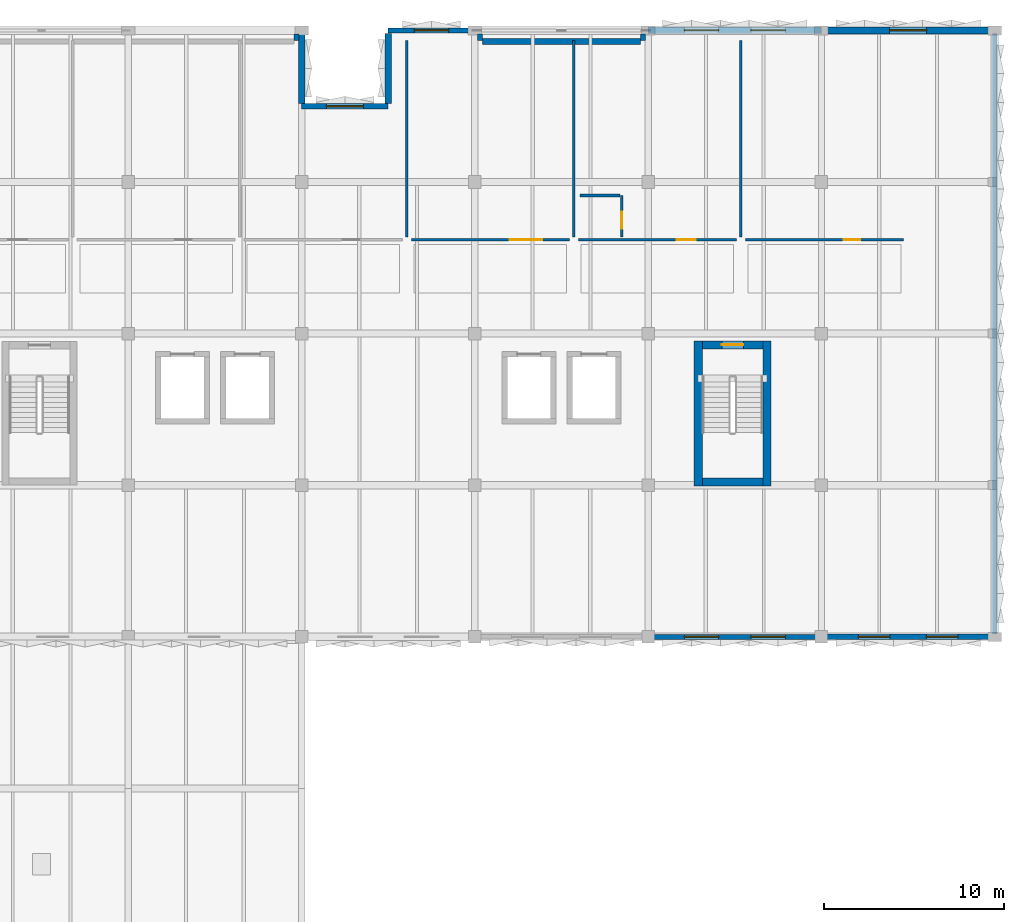
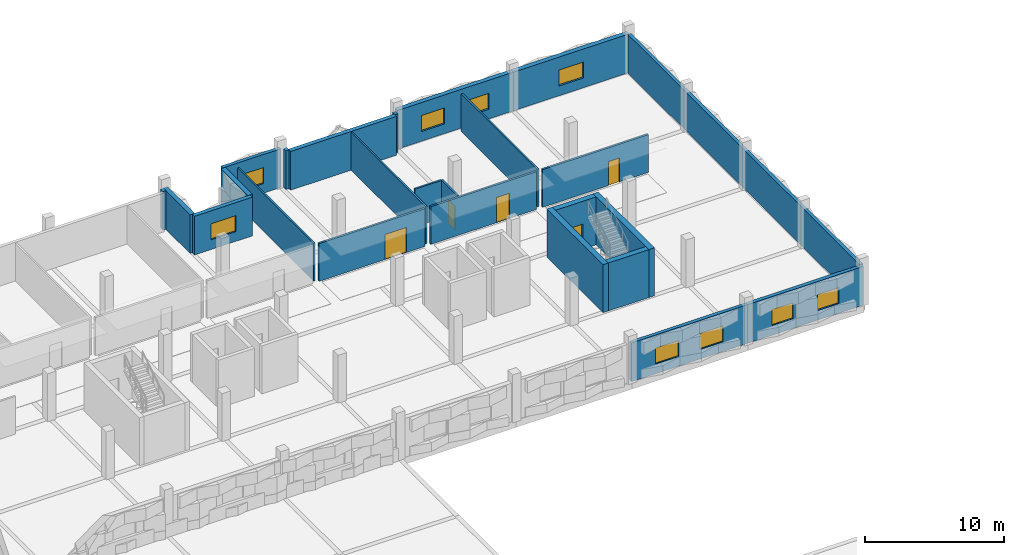
# One storey, part 16 of 24: 25 walls, 9 windows, 5 doors, 14 openings.
"""IFC4 building model written with IfcOpenShell, lengths in metres."""

from ifc_helpers import new_model, si_unit, direction, frame, frame_2d, origin, place, context, subcontext, project, spatial, rectangle, extrude, material, layer, layer_set, type_object, element, fill, save


model = new_model("IFC4")

# Units and contexts
model_context = context("Model", 3, precision=1e-05, world=origin(), true_north=direction((0.0, 1.0)))
body_context = subcontext(model_context, "Body", "Model", "MODEL_VIEW")
ifc_project = project(units=[si_unit("LENGTHUNIT", "METRE"), si_unit("AREAUNIT", "SQUARE_METRE"), si_unit("VOLUMEUNIT", "CUBIC_METRE"), si_unit("PLANEANGLEUNIT", "RADIAN"), si_unit("MASSUNIT", "GRAM", prefix="KILO")], contexts=[model_context])

# Site, building, storey
site_placement = place(None, origin())
site = spatial("IfcSite", under=ifc_project, at=site_placement, CompositionType="ELEMENT")
building_placement = place(site_placement, origin())
building = spatial("IfcBuilding", under=site, at=building_placement, Name="Oolite Switchyard Hospital", CompositionType="ELEMENT")
storey_placement = place(building_placement, frame((0.0, 0.0, 22.0)))
storey = spatial("IfcBuildingStorey", under=building, at=storey_placement, Name="L05", CompositionType="ELEMENT", Elevation=22.0)

# Walls
ifc_material_1 = material(Name="Precast oolitic limestone architectural concrete C40/50", Category="masonry")
ifc_layer_1 = layer(ifc_material_1, 0.260009765625)
ifc_layer_set_1 = layer_set([ifc_layer_1], Name="WAL-EXT-260")
wall_type_1 = type_object("IfcWallType", Name="WAL-EXT-260", PredefinedType="SOLIDWALL", material=ifc_layer_set_1)
for number, where, z_axis, x_axis, name in (
    (1, (172.52001953125, 134.199951171875, 0.0), (0.0, 0.0, 1.0), (0.0, -1.0, 0.0), "L05 Brace Alcove Cheek Wall 323"),
    (2, (182.679931640625, 134.199951171875, 0.0), (0.0, 0.0, 1.0), (0.0, -1.0, 0.0), "L05 Brace Alcove Cheek Wall 326"),
    (3, (191.719970703125, 134.199951171875, 0.0), (0.0, 0.0, 1.0), (0.0, -1.0, 0.0), "L05 Brace Alcove Cheek Wall 327"),
):
    element("IfcWall", number, at=place(storey_placement, frame(where, z_axis=z_axis, x_axis=x_axis)), inside=storey, type_object=wall_type_1, Name=name, PredefinedType="SOLIDWALL", context=body_context, shape_type="SweptSolid", body=[
        extrude(rectangle(XDim=0.35986328125, YDim=0.260009765625, at=frame_2d((0.179931640625, 0.0))), origin(), (0.0, 0.0, 1.0), 3.389892578125),
    ])
wall_1_placement = place(storey_placement, frame((211.199951171875, 134.239990234375, 0.0), z_axis=(0.0, 0.0, 1.0), x_axis=(0.0, -1.0, 0.0)))
element("IfcWall", 4, at=wall_1_placement, inside=storey, type_object=wall_type_1, Name="L05 Exterior Spandrel Wall 345", PredefinedType="SOLIDWALL", context=body_context, shape_type="SweptSolid", body=[
    extrude(rectangle(XDim=33.280029296875, YDim=0.260009765625, at=frame_2d((16.64013671875, 0.0))), origin(), (0.0, 0.0, 1.0), 3.389892578125),
])

# Wall, openings, windows
ifc_layer_2 = layer(ifc_material_1, 0.280029296875)
ifc_layer_set_2 = layer_set([ifc_layer_2], Name="WAL-EXT-280")
wall_type_2 = type_object("IfcWallType", Name="WAL-EXT-280", PredefinedType="SOLIDWALL", material=ifc_layer_set_2)
wall_2_placement = place(storey_placement, frame((201.60009765625, 100.800048828125, 0.0), z_axis=(0.0, 0.0, 1.0), x_axis=(-1.0, 0.0, 0.0)))
wall_2 = element("IfcWall", 5, at=wall_2_placement, inside=storey, type_object=wall_type_2, Name="L05 Exterior Spandrel Wall 318", PredefinedType="SOLIDWALL", context=body_context, shape_type="SweptSolid", body=[
    extrude(rectangle(XDim=9.60009765625, YDim=0.280029296875, at=frame_2d((4.800048828125, 0.0))), origin(), (0.0, 0.0, 1.0), 3.389892578125),
])
opening_1_placement = place(wall_2_placement, frame((2.001953125, 0.0, 0.85009765625)))
opening_1 = element("IfcOpeningElement", 6, at=opening_1_placement, cuts=wall_2, Name="Opening WN-0204", PredefinedType="OPENING", context=body_context, shape_type="SweptSolid", body=[
    extrude(rectangle(XDim=1.89990234375, YDim=1.39990234375, at=frame_2d((0.949951171875, 0.699951171875))), frame((0.0, 0.14990234375, 0.0), z_axis=(0.0, -1.0, 0.0), x_axis=(1.0, 0.0, 0.0)), (0.0, 0.0, 1.0), 0.300048828125),
])
opening_2_placement = place(wall_2_placement, frame((5.697998046875, 0.0, 0.85009765625)))
opening_2 = element("IfcOpeningElement", 7, at=opening_2_placement, cuts=wall_2, Name="Opening WN-0205", PredefinedType="OPENING", context=body_context, shape_type="SweptSolid", body=[
    extrude(rectangle(XDim=1.89990234375, YDim=1.39990234375, at=frame_2d((0.949951171875, 0.699951171875))), frame((0.0, 0.14990234375, 0.0), z_axis=(0.0, -1.0, 0.0), x_axis=(1.0, 0.0, 0.0)), (0.0, 0.0, 1.0), 0.300048828125),
])
ifc_material_2 = material(Name="Thermally broken aluminum frame with laminated impact glazing", Category="aluminium")
window_type_1 = type_object("IfcWindowType", Name="WIN-IMP-190X140", PartitioningType="SINGLE_PANEL", PredefinedType="WINDOW", material=ifc_material_2)
window_1_placement = place(opening_1_placement, origin())
window_1 = element("IfcWindow", 8, at=window_1_placement, inside=storey, type_object=window_type_1, Name="L05 Hurricane Impact Window WN-0204", OverallHeight=1.39990234375, OverallWidth=1.89990234375, PartitioningType="SINGLE_PANEL", PredefinedType="WINDOW", context=body_context, shape_type="SweptSolid", body=[
    extrude(rectangle(XDim=1.89990234375, YDim=1.39990234375, at=frame_2d((0.949951171875, 0.699951171875))), frame((0.0, 0.030029296875, 0.0), z_axis=(0.0, -1.0, 0.0), x_axis=(1.0, 0.0, 0.0)), (0.0, 0.0, 1.0), 0.06005859375),
])
fill(opening_1, window_1)
window_2_placement = place(opening_2_placement, origin())
window_2 = element("IfcWindow", 9, at=window_2_placement, inside=storey, type_object=window_type_1, Name="L05 Hurricane Impact Window WN-0205", OverallHeight=1.39990234375, OverallWidth=1.89990234375, PartitioningType="SINGLE_PANEL", PredefinedType="WINDOW", context=body_context, shape_type="SweptSolid", body=[
    extrude(rectangle(XDim=1.89990234375, YDim=1.39990234375, at=frame_2d((0.949951171875, 0.699951171875))), frame((0.0, 0.030029296875, 0.0), z_axis=(0.0, -1.0, 0.0), x_axis=(1.0, 0.0, 0.0)), (0.0, 0.0, 1.0), 0.06005859375),
])
fill(opening_2, window_2)

# Wall, opening, window
wall_3_placement = place(storey_placement, frame((177.60009765625, 134.39990234375, 0.0), z_axis=(0.0, 0.0, 1.0), x_axis=(1.0, 0.0, 0.0)))
wall_3 = element("IfcWall", 10, at=wall_3_placement, inside=storey, type_object=wall_type_2, Name="L05 Exterior Spandrel Wall 325", PredefinedType="SOLIDWALL", context=body_context, shape_type="SweptSolid", body=[
    extrude(rectangle(XDim=4.7998046875, YDim=0.280029296875, at=frame_2d((2.39990234375, 0.0))), origin(), (0.0, 0.0, 1.0), 3.389892578125),
])
opening_3_placement = place(wall_3_placement, frame((1.449951171875, 0.0, 0.85009765625)))
opening_3 = element("IfcOpeningElement", 11, at=opening_3_placement, cuts=wall_3, Name="Opening WN-0210", PredefinedType="OPENING", context=body_context, shape_type="SweptSolid", body=[
    extrude(rectangle(XDim=1.89990234375, YDim=1.39990234375, at=frame_2d((0.949951171875, 0.699951171875))), frame((0.0, 0.14990234375, 0.0), z_axis=(0.0, -1.0, 0.0), x_axis=(1.0, 0.0, 0.0)), (0.0, 0.0, 1.0), 0.300048828125),
])
window_3_placement = place(opening_3_placement, origin())
window_3 = element("IfcWindow", 12, at=window_3_placement, inside=storey, type_object=window_type_1, Name="L05 Hurricane Impact Window WN-0210", OverallHeight=1.39990234375, OverallWidth=1.89990234375, PartitioningType="SINGLE_PANEL", PredefinedType="WINDOW", context=body_context, shape_type="SweptSolid", body=[
    extrude(rectangle(XDim=1.89990234375, YDim=1.39990234375, at=frame_2d((0.949951171875, 0.699951171875))), frame((0.0, 0.030029296875, 0.0), z_axis=(0.0, -1.0, 0.0), x_axis=(1.0, 0.0, 0.0)), (0.0, 0.0, 1.0), 0.06005859375),
])
fill(opening_3, window_3)

# Wall, openings, windows
ifc_layer_3 = layer(ifc_material_1, 0.300048828125)
ifc_layer_set_3 = layer_set([ifc_layer_3], Name="WAL-EXT-300")
wall_type_3 = type_object("IfcWallType", Name="WAL-EXT-300", PredefinedType="SOLIDWALL", material=ifc_layer_set_3)
wall_4_placement = place(storey_placement, frame((211.199951171875, 100.800048828125, 0.0), z_axis=(0.0, 0.0, 1.0), x_axis=(-1.0, 0.0, 0.0)))
wall_4 = element("IfcWall", 13, at=wall_4_placement, inside=storey, type_object=wall_type_3, Name="L05 Exterior Spandrel Wall 319", PredefinedType="SOLIDWALL", context=body_context, shape_type="SweptSolid", body=[
    extrude(rectangle(XDim=9.599853515625, YDim=0.300048828125, at=frame_2d((4.7998046875, 0.0))), origin(), (0.0, 0.0, 1.0), 3.389892578125),
])
opening_4_placement = place(wall_4_placement, frame((2.041015625, 0.0, 0.85009765625)))
opening_4 = element("IfcOpeningElement", 14, at=opening_4_placement, cuts=wall_4, Name="Opening WN-0206", PredefinedType="OPENING", context=body_context, shape_type="SweptSolid", body=[
    extrude(rectangle(XDim=1.75, YDim=1.39990234375, at=frame_2d((0.875, 0.699951171875))), frame((0.0, 0.16015625, 0.0), z_axis=(0.0, -1.0, 0.0), x_axis=(1.0, 0.0, 0.0)), (0.0, 0.0, 1.0), 0.320068359375),
])
opening_5_placement = place(wall_4_placement, frame((5.80908203125, 0.0, 0.85009765625)))
opening_5 = element("IfcOpeningElement", 15, at=opening_5_placement, cuts=wall_4, Name="Opening WN-0207", PredefinedType="OPENING", context=body_context, shape_type="SweptSolid", body=[
    extrude(rectangle(XDim=1.75, YDim=1.39990234375, at=frame_2d((0.875, 0.699951171875))), frame((0.0, 0.16015625, 0.0), z_axis=(0.0, -1.0, 0.0), x_axis=(1.0, 0.0, 0.0)), (0.0, 0.0, 1.0), 0.320068359375),
])
window_type_2 = type_object("IfcWindowType", Name="WIN-IMP-175X140", PartitioningType="SINGLE_PANEL", PredefinedType="WINDOW", material=ifc_material_2)
window_4_placement = place(opening_4_placement, origin())
window_4 = element("IfcWindow", 16, at=window_4_placement, inside=storey, type_object=window_type_2, Name="L05 Hurricane Impact Window WN-0206", OverallHeight=1.39990234375, OverallWidth=1.75, PartitioningType="SINGLE_PANEL", PredefinedType="WINDOW", context=body_context, shape_type="SweptSolid", body=[
    extrude(rectangle(XDim=1.75, YDim=1.39990234375, at=frame_2d((0.875, 0.699951171875))), frame((0.0, 0.030029296875, 0.0), z_axis=(0.0, -1.0, 0.0), x_axis=(1.0, 0.0, 0.0)), (0.0, 0.0, 1.0), 0.06005859375),
])
fill(opening_4, window_4)
window_5_placement = place(opening_5_placement, origin())
window_5 = element("IfcWindow", 17, at=window_5_placement, inside=storey, type_object=window_type_2, Name="L05 Hurricane Impact Window WN-0207", OverallHeight=1.39990234375, OverallWidth=1.75, PartitioningType="SINGLE_PANEL", PredefinedType="WINDOW", context=body_context, shape_type="SweptSolid", body=[
    extrude(rectangle(XDim=1.75, YDim=1.39990234375, at=frame_2d((0.875, 0.699951171875))), frame((0.0, 0.030029296875, 0.0), z_axis=(0.0, -1.0, 0.0), x_axis=(1.0, 0.0, 0.0)), (0.0, 0.0, 1.0), 0.06005859375),
])
fill(opening_5, window_5)

# Wall, opening, window
ifc_layer_4 = layer(ifc_material_1, 0.320068359375)
ifc_layer_set_4 = layer_set([ifc_layer_4], Name="WAL-EXT-320")
wall_type_4 = type_object("IfcWallType", Name="WAL-EXT-320", PredefinedType="SOLIDWALL", material=ifc_layer_set_4)
wall_5_placement = place(storey_placement, frame((172.800048828125, 130.199951171875, 0.0), z_axis=(0.0, 0.0, 1.0), x_axis=(1.0, 0.0, 0.0)))
wall_5 = element("IfcWall", 18, at=wall_5_placement, inside=storey, type_object=wall_type_4, Name="L05 Exterior Spandrel Wall 320", PredefinedType="SOLIDWALL", context=body_context, shape_type="SweptSolid", body=[
    extrude(rectangle(XDim=4.800048828125, YDim=0.320068359375, at=frame_2d((2.39990234375, 0.0))), origin(), (0.0, 0.0, 1.0), 3.389892578125),
])
opening_6_placement = place(wall_5_placement, frame((1.375, 0.0, 0.85009765625)))
opening_6 = element("IfcOpeningElement", 19, at=opening_6_placement, cuts=wall_5, Name="Opening WN-0208", PredefinedType="OPENING", context=body_context, shape_type="SweptSolid", body=[
    extrude(rectangle(XDim=2.050048828125, YDim=1.39990234375, at=frame_2d((1.02490234375, 0.699951171875))), frame((0.0, 0.169921875, 0.0), z_axis=(0.0, -1.0, 0.0), x_axis=(1.0, 0.0, 0.0)), (0.0, 0.0, 1.0), 0.340087890625),
])
window_type_3 = type_object("IfcWindowType", Name="WIN-IMP-205X140", PartitioningType="SINGLE_PANEL", PredefinedType="WINDOW", material=ifc_material_2)
window_6_placement = place(opening_6_placement, origin())
window_6 = element("IfcWindow", 20, at=window_6_placement, inside=storey, type_object=window_type_3, Name="L05 Hurricane Impact Window WN-0208", OverallHeight=1.39990234375, OverallWidth=2.050048828125, PartitioningType="SINGLE_PANEL", PredefinedType="WINDOW", context=body_context, shape_type="SweptSolid", body=[
    extrude(rectangle(XDim=2.050048828125, YDim=1.39990234375, at=frame_2d((1.02490234375, 0.699951171875))), frame((0.0, 0.030029296875, 0.0), z_axis=(0.0, -1.0, 0.0), x_axis=(1.0, 0.0, 0.0)), (0.0, 0.0, 1.0), 0.06005859375),
])
fill(opening_6, window_6)

# Wall
ifc_layer_5 = layer(ifc_material_1, 0.340087890625)
ifc_layer_set_5 = layer_set([ifc_layer_5], Name="WAL-EXT-340")
wall_type_5 = type_object("IfcWallType", Name="WAL-EXT-340", PredefinedType="SOLIDWALL", material=ifc_layer_set_5)
wall_6_placement = place(storey_placement, frame((182.820068359375, 133.780029296875, 0.0), z_axis=(0.0, 0.0, 1.0), x_axis=(1.0, 0.0, 0.0)))
element("IfcWall", 21, at=wall_6_placement, inside=storey, type_object=wall_type_5, Name="L05 Exterior Spandrel Wall 328", PredefinedType="SOLIDWALL", context=body_context, shape_type="SweptSolid", body=[
    extrude(rectangle(XDim=8.760009765625, YDim=0.340087890625, at=frame_2d((4.3798828125, 0.0))), origin(), (0.0, 0.0, 1.0), 3.389892578125),
])

# Wall, openings, windows
ifc_layer_6 = layer(ifc_material_1, 0.360107421875)
ifc_layer_set_6 = layer_set([ifc_layer_6], Name="WAL-EXT-360")
wall_type_6 = type_object("IfcWallType", Name="WAL-EXT-360", PredefinedType="SOLIDWALL", material=ifc_layer_set_6)
wall_7_placement = place(storey_placement, frame((192.0, 134.39990234375, 0.0), z_axis=(0.0, 0.0, 1.0), x_axis=(1.0, 0.0, 0.0)))
wall_7 = element("IfcWall", 22, at=wall_7_placement, inside=storey, type_object=wall_type_6, Name="L05 Exterior Spandrel Wall 329", PredefinedType="SOLIDWALL", context=body_context, shape_type="SweptSolid", body=[
    extrude(rectangle(XDim=9.60009765625, YDim=0.360107421875, at=frame_2d((4.800048828125, 0.0))), origin(), (0.0, 0.0, 1.0), 3.389892578125),
])
opening_7_placement = place(wall_7_placement, frame((2.001953125, 0.0, 0.85009765625)))
opening_7 = element("IfcOpeningElement", 23, at=opening_7_placement, cuts=wall_7, Name="Opening WN-0211", PredefinedType="OPENING", context=body_context, shape_type="SweptSolid", body=[
    extrude(rectangle(XDim=1.89990234375, YDim=1.39990234375, at=frame_2d((0.949951171875, 0.699951171875))), frame((0.0, 0.18994140625, 0.0), z_axis=(0.0, -1.0, 0.0), x_axis=(1.0, 0.0, 0.0)), (0.0, 0.0, 1.0), 0.380126953125),
])
opening_8_placement = place(wall_7_placement, frame((5.697998046875, 0.0, 0.85009765625)))
opening_8 = element("IfcOpeningElement", 24, at=opening_8_placement, cuts=wall_7, Name="Opening WN-0212", PredefinedType="OPENING", context=body_context, shape_type="SweptSolid", body=[
    extrude(rectangle(XDim=1.89990234375, YDim=1.39990234375, at=frame_2d((0.949951171875, 0.699951171875))), frame((0.0, 0.18994140625, 0.0), z_axis=(0.0, -1.0, 0.0), x_axis=(1.0, 0.0, 0.0)), (0.0, 0.0, 1.0), 0.380126953125),
])
window_7_placement = place(opening_7_placement, origin())
window_7 = element("IfcWindow", 25, at=window_7_placement, inside=storey, type_object=window_type_1, Name="L05 Hurricane Impact Window WN-0211", OverallHeight=1.39990234375, OverallWidth=1.89990234375, PartitioningType="SINGLE_PANEL", PredefinedType="WINDOW", context=body_context, shape_type="SweptSolid", body=[
    extrude(rectangle(XDim=1.89990234375, YDim=1.39990234375, at=frame_2d((0.949951171875, 0.699951171875))), frame((0.0, 0.030029296875, 0.0), z_axis=(0.0, -1.0, 0.0), x_axis=(1.0, 0.0, 0.0)), (0.0, 0.0, 1.0), 0.06005859375),
])
fill(opening_7, window_7)
window_8_placement = place(opening_8_placement, origin())
window_8 = element("IfcWindow", 26, at=window_8_placement, inside=storey, type_object=window_type_1, Name="L05 Hurricane Impact Window WN-0212", OverallHeight=1.39990234375, OverallWidth=1.89990234375, PartitioningType="SINGLE_PANEL", PredefinedType="WINDOW", context=body_context, shape_type="SweptSolid", body=[
    extrude(rectangle(XDim=1.89990234375, YDim=1.39990234375, at=frame_2d((0.949951171875, 0.699951171875))), frame((0.0, 0.030029296875, 0.0), z_axis=(0.0, -1.0, 0.0), x_axis=(1.0, 0.0, 0.0)), (0.0, 0.0, 1.0), 0.06005859375),
])
fill(opening_8, window_8)

# Wall
wall_8_placement = place(storey_placement, frame((172.800048828125, 134.239990234375, 0.0), z_axis=(0.0, 0.0, 1.0), x_axis=(0.0, -1.0, 0.0)))
element("IfcWall", 27, at=wall_8_placement, inside=storey, type_object=wall_type_6, Name="L05 Exterior Spandrel Wall 343", PredefinedType="SOLIDWALL", context=body_context, shape_type="SweptSolid", body=[
    extrude(rectangle(XDim=3.8798828125, YDim=0.360107421875, at=frame_2d((1.93994140625, 0.0))), origin(), (0.0, 0.0, 1.0), 3.389892578125),
])

# Wall, opening, window
ifc_layer_7 = layer(ifc_material_1, 0.3798828125)
ifc_layer_set_7 = layer_set([ifc_layer_7], Name="WAL-EXT-380")
wall_type_7 = type_object("IfcWallType", Name="WAL-EXT-380", PredefinedType="SOLIDWALL", material=ifc_layer_set_7)
wall_9_placement = place(storey_placement, frame((201.60009765625, 134.39990234375, 0.0), z_axis=(0.0, 0.0, 1.0), x_axis=(1.0, 0.0, 0.0)))
wall_9 = element("IfcWall", 28, at=wall_9_placement, inside=storey, type_object=wall_type_7, Name="L05 Exterior Spandrel Wall 330", PredefinedType="SOLIDWALL", context=body_context, shape_type="SweptSolid", body=[
    extrude(rectangle(XDim=9.599853515625, YDim=0.3798828125, at=frame_2d((4.7998046875, 0.0))), origin(), (0.0, 0.0, 1.0), 3.389892578125),
])
opening_9_placement = place(wall_9_placement, frame((3.77490234375, 0.0, 0.85009765625)))
opening_9 = element("IfcOpeningElement", 29, at=opening_9_placement, cuts=wall_9, Name="Opening WN-0213", PredefinedType="OPENING", context=body_context, shape_type="SweptSolid", body=[
    extrude(rectangle(XDim=2.050048828125, YDim=1.39990234375, at=frame_2d((1.02490234375, 0.699951171875))), frame((0.0, 0.199951171875, 0.0), z_axis=(0.0, -1.0, 0.0), x_axis=(1.0, 0.0, 0.0)), (0.0, 0.0, 1.0), 0.39990234375),
])
window_9_placement = place(opening_9_placement, origin())
window_9 = element("IfcWindow", 30, at=window_9_placement, inside=storey, type_object=window_type_3, Name="L05 Hurricane Impact Window WN-0213", OverallHeight=1.39990234375, OverallWidth=2.050048828125, PartitioningType="SINGLE_PANEL", PredefinedType="WINDOW", context=body_context, shape_type="SweptSolid", body=[
    extrude(rectangle(XDim=2.050048828125, YDim=1.39990234375, at=frame_2d((1.02490234375, 0.699951171875))), frame((0.0, 0.030029296875, 0.0), z_axis=(0.0, -1.0, 0.0), x_axis=(1.0, 0.0, 0.0)), (0.0, 0.0, 1.0), 0.06005859375),
])
fill(opening_9, window_9)

# Walls
wall_10_placement = place(storey_placement, frame((177.60009765625, 130.360107421875, 0.0), z_axis=(0.0, 0.0, 1.0), x_axis=(0.0, 1.0, 0.0)))
element("IfcWall", 31, at=wall_10_placement, inside=storey, type_object=wall_type_7, Name="L05 Exterior Spandrel Wall 344", PredefinedType="SOLIDWALL", context=body_context, shape_type="SweptSolid", body=[
    extrude(rectangle(XDim=3.8798828125, YDim=0.3798828125, at=frame_2d((1.93994140625, 0.0))), origin(), (0.0, 0.0, 1.0), 3.389892578125),
])
ifc_material_3 = material(Name="Moisture-resistant gypsum board on steel studs", Category="steel")
ifc_layer_8 = layer(ifc_material_3, 0.135009765625)
ifc_layer_set_8 = layer_set([ifc_layer_8], Name="WAL-PART-135")
wall_type_8 = type_object("IfcWallType", Name="WAL-PART-135", PredefinedType="PARTITIONING", material=ifc_layer_set_8)
for number, where, z_axis, x_axis, name in (
    (32, (178.6279296875, 122.949951171875, 0.0), (0.0, 0.0, 1.0), (0.0, 1.0, 0.0), "L05 Interior Partition 857"),
    (33, (187.885009765625, 122.949951171875, 0.0), (0.0, 0.0, 1.0), (0.0, 1.0, 0.0), "L05 Interior Partition 861"),
    (34, (197.14208984375, 122.949951171875, 0.0), (0.0, 0.0, 1.0), (0.0, 1.0, 0.0), "L05 Interior Partition 863"),
):
    element("IfcWall", number, at=place(storey_placement, frame(where, z_axis=z_axis, x_axis=x_axis)), inside=storey, type_object=wall_type_8, Name=name, PredefinedType="PARTITIONING", context=body_context, shape_type="SweptSolid", body=[
        extrude(rectangle(XDim=10.900146484375, YDim=0.135009765625, at=frame_2d((5.4501953125, 0.0))), origin(), (0.0, 0.0, 1.0), 3.300048828125),
    ])

# Wall, opening, door
ifc_layer_9 = layer(ifc_material_3, 0.14990234375)
ifc_layer_set_9 = layer_set([ifc_layer_9], Name="WAL-PART-150")
wall_type_9 = type_object("IfcWallType", Name="WAL-PART-150", PredefinedType="PARTITIONING", material=ifc_layer_set_9)
wall_11_placement = place(storey_placement, frame((190.534912109375, 122.949951171875, 0.0), z_axis=(0.0, 0.0, 1.0), x_axis=(0.0, 1.0, 0.0)))
wall_11 = element("IfcWall", 35, at=wall_11_placement, inside=storey, type_object=wall_type_9, Name="L05 Interior Partition 859", PredefinedType="PARTITIONING", context=body_context, shape_type="SweptSolid", body=[
    extrude(rectangle(XDim=2.300048828125, YDim=0.14990234375, at=frame_2d((1.14990234375, 0.0))), origin(), (0.0, 0.0, 1.0), 3.300048828125),
])
opening_10_placement = place(wall_11_placement, frame((0.449951171875, 0.0, 0.0)))
opening_10 = element("IfcOpeningElement", 36, at=opening_10_placement, cuts=wall_11, Name="Opening D-0477", PredefinedType="OPENING", context=body_context, shape_type="SweptSolid", body=[
    extrude(rectangle(XDim=0.949951171875, YDim=2.10009765625, at=frame_2d((0.47509765625, 1.050048828125))), frame((0.0, 0.0849609375, 0.0), z_axis=(0.0, -1.0, 0.0), x_axis=(1.0, 0.0, 0.0)), (0.0, 0.0, 1.0), 0.169921875),
])
ifc_material_4 = material(Name="Solid-core antimicrobial hardwood leaf in steel frame", Category="steel")
door_type_1 = type_object("IfcDoorType", Name="DR-BATH-095X210", OperationType="NOTDEFINED", PredefinedType="DOOR", material=ifc_material_4)
door_1_placement = place(opening_10_placement, origin())
door_1 = element("IfcDoor", 37, at=door_1_placement, inside=storey, type_object=door_type_1, Name="L05 Interior Door D-0477", OperationType="SINGLE_SWING_RIGHT", OverallHeight=2.10009765625, OverallWidth=0.949951171875, PredefinedType="DOOR", context=body_context, shape_type="SweptSolid", body=[
    extrude(rectangle(XDim=0.949951171875, YDim=2.10009765625, at=frame_2d((0.47509765625, 1.050048828125))), frame((0.0, 0.02490234375, 0.0), z_axis=(0.0, -1.0, 0.0), x_axis=(1.0, 0.0, 0.0)), (0.0, 0.0, 1.0), 0.050048828125),
])
fill(opening_10, door_1)

# Wall
wall_12_placement = place(storey_placement, frame((188.235107421875, 125.25, 0.0), z_axis=(0.0, 0.0, 1.0), x_axis=(1.0, 0.0, 0.0)))
element("IfcWall", 38, at=wall_12_placement, inside=storey, type_object=wall_type_9, Name="L05 Interior Partition 860", PredefinedType="PARTITIONING", context=body_context, shape_type="SweptSolid", body=[
    extrude(rectangle(XDim=2.199951171875, YDim=0.14990234375, at=frame_2d((1.10009765625, 0.0))), origin(), (0.0, 0.0, 1.0), 3.300048828125),
])

# Wall, opening, door
ifc_layer_10 = layer(ifc_material_3, 0.1650390625)
ifc_layer_set_10 = layer_set([ifc_layer_10], Name="WAL-PART-165")
wall_type_10 = type_object("IfcWallType", Name="WAL-PART-165", PredefinedType="PARTITIONING", material=ifc_layer_set_10)
wall_13_placement = place(storey_placement, frame((178.8779296875, 122.800048828125, 0.0), z_axis=(0.0, 0.0, 1.0), x_axis=(1.0, 0.0, 0.0)))
wall_13 = element("IfcWall", 39, at=wall_13_placement, inside=storey, type_object=wall_type_10, Name="L05 Interior Partition 856", PredefinedType="PARTITIONING", context=body_context, shape_type="SweptSolid", body=[
    extrude(rectangle(XDim=8.757080078125, YDim=0.1650390625, at=frame_2d((4.37841796875, 0.0))), origin(), (0.0, 0.0, 1.0), 3.300048828125),
])
opening_11_placement = place(wall_13_placement, frame((5.449951171875, 0.0, 0.0)))
opening_11 = element("IfcOpeningElement", 40, at=opening_11_placement, cuts=wall_13, Name="Opening D-0475", PredefinedType="OPENING", context=body_context, shape_type="SweptSolid", body=[
    extrude(rectangle(XDim=1.800048828125, YDim=2.199951171875, at=frame_2d((0.89990234375, 1.10009765625))), frame((0.0, 0.092529296875, 0.0), z_axis=(0.0, -1.0, 0.0), x_axis=(1.0, 0.0, 0.0)), (0.0, 0.0, 1.0), 0.18505859375),
])
ifc_material_5 = material(Name="Hollow metal fire-rated steel door assembly", Category="steel")
door_type_2 = type_object("IfcDoorType", Name="DR-DBL-180X220", OperationType="NOTDEFINED", PredefinedType="DOOR", material=ifc_material_5)
door_2_placement = place(opening_11_placement, origin())
door_2 = element("IfcDoor", 41, at=door_2_placement, inside=storey, type_object=door_type_2, Name="L05 Interior Door D-0475", OperationType="DOUBLE_DOOR_SINGLE_SWING", OverallHeight=2.199951171875, OverallWidth=1.800048828125, PredefinedType="DOOR", context=body_context, shape_type="SweptSolid", body=[
    extrude(rectangle(XDim=1.800048828125, YDim=2.199951171875, at=frame_2d((0.89990234375, 1.10009765625))), frame((0.0, 0.02490234375, 0.0), z_axis=(0.0, -1.0, 0.0), x_axis=(1.0, 0.0, 0.0)), (0.0, 0.0, 1.0), 0.050048828125),
])
fill(opening_11, door_2)

wall_14_placement = place(storey_placement, frame((188.135009765625, 122.800048828125, 0.0), z_axis=(0.0, 0.0, 1.0), x_axis=(1.0, 0.0, 0.0)))
wall_14 = element("IfcWall", 42, at=wall_14_placement, inside=storey, type_object=wall_type_10, Name="L05 Interior Partition 858", PredefinedType="PARTITIONING", context=body_context, shape_type="SweptSolid", body=[
    extrude(rectangle(XDim=8.757080078125, YDim=0.1650390625, at=frame_2d((4.37841796875, 0.0))), origin(), (0.0, 0.0, 1.0), 3.300048828125),
])
opening_12_placement = place(wall_14_placement, frame((5.449951171875, 0.0, 0.0)))
opening_12 = element("IfcOpeningElement", 43, at=opening_12_placement, cuts=wall_14, Name="Opening D-0476", PredefinedType="OPENING", context=body_context, shape_type="SweptSolid", body=[
    extrude(rectangle(XDim=1.050048828125, YDim=2.199951171875, at=frame_2d((0.52490234375, 1.10009765625))), frame((0.0, 0.092529296875, 0.0), z_axis=(0.0, -1.0, 0.0), x_axis=(1.0, 0.0, 0.0)), (0.0, 0.0, 1.0), 0.18505859375),
])
door_type_3 = type_object("IfcDoorType", Name="DR-DUTY-105X220", OperationType="NOTDEFINED", PredefinedType="DOOR", material=ifc_material_4)
door_3_placement = place(opening_12_placement, origin())
door_3 = element("IfcDoor", 44, at=door_3_placement, inside=storey, type_object=door_type_3, Name="L05 Interior Door D-0476", OperationType="SINGLE_SWING_LEFT", OverallHeight=2.199951171875, OverallWidth=1.050048828125, PredefinedType="DOOR", context=body_context, shape_type="SweptSolid", body=[
    extrude(rectangle(XDim=1.050048828125, YDim=2.199951171875, at=frame_2d((0.52490234375, 1.10009765625))), frame((0.0, 0.02490234375, 0.0), z_axis=(0.0, -1.0, 0.0), x_axis=(1.0, 0.0, 0.0)), (0.0, 0.0, 1.0), 0.050048828125),
])
fill(opening_12, door_3)

wall_15_placement = place(storey_placement, frame((197.39208984375, 122.800048828125, 0.0), z_axis=(0.0, 0.0, 1.0), x_axis=(1.0, 0.0, 0.0)))
wall_15 = element("IfcWall", 45, at=wall_15_placement, inside=storey, type_object=wall_type_10, Name="L05 Interior Partition 862", PredefinedType="PARTITIONING", context=body_context, shape_type="SweptSolid", body=[
    extrude(rectangle(XDim=8.7568359375, YDim=0.1650390625, at=frame_2d((4.37841796875, 0.0))), origin(), (0.0, 0.0, 1.0), 3.300048828125),
])
opening_13_placement = place(wall_15_placement, frame((5.449951171875, 0.0, 0.0)))
opening_13 = element("IfcOpeningElement", 46, at=opening_13_placement, cuts=wall_15, Name="Opening D-0478", PredefinedType="OPENING", context=body_context, shape_type="SweptSolid", body=[
    extrude(rectangle(XDim=0.89990234375, YDim=2.10009765625, at=frame_2d((0.449951171875, 1.050048828125))), frame((0.0, 0.092529296875, 0.0), z_axis=(0.0, -1.0, 0.0), x_axis=(1.0, 0.0, 0.0)), (0.0, 0.0, 1.0), 0.18505859375),
])
door_type_4 = type_object("IfcDoorType", Name="DR-BATH-090X210", OperationType="NOTDEFINED", PredefinedType="DOOR", material=ifc_material_4)
door_4_placement = place(opening_13_placement, origin())
door_4 = element("IfcDoor", 47, at=door_4_placement, inside=storey, type_object=door_type_4, Name="L05 Interior Door D-0478", OperationType="SINGLE_SWING_RIGHT", OverallHeight=2.10009765625, OverallWidth=0.89990234375, PredefinedType="DOOR", context=body_context, shape_type="SweptSolid", body=[
    extrude(rectangle(XDim=0.89990234375, YDim=2.10009765625, at=frame_2d((0.449951171875, 1.050048828125))), frame((0.0, 0.02490234375, 0.0), z_axis=(0.0, -1.0, 0.0), x_axis=(1.0, 0.0, 0.0)), (0.0, 0.0, 1.0), 0.050048828125),
])
fill(opening_13, door_4)

# Walls
ifc_material_6 = material(Name="Concrete C50/60", Category="concrete")
ifc_layer_11 = layer(ifc_material_6, 0.449951171875)
ifc_layer_set_11 = layer_set([ifc_layer_11], Name="WAL-SHR-450")
wall_type_11 = type_object("IfcWallType", Name="WAL-SHR-450", PredefinedType="SHEAR", material=ifc_layer_set_11)
wall_16_placement = place(storey_placement, frame((194.77490234375, 117.199951171875, 0.0), z_axis=(0.0, 0.0, 1.0), x_axis=(0.0, -1.0, 0.0)))
element("IfcWall", 48, at=wall_16_placement, inside=storey, type_object=wall_type_11, Name="L05 Core Shear Wall ST-04", PredefinedType="SHEAR", context=body_context, shape_type="SweptSolid", body=[
    extrude(rectangle(XDim=8.050048828125, YDim=0.449951171875, at=frame_2d((4.02490234375, 0.0))), origin(), (0.0, 0.0, 1.0), 4.199951171875),
])
wall_17_placement = place(storey_placement, frame((195.0, 109.375, 0.0), z_axis=(0.0, 0.0, 1.0), x_axis=(1.0, 0.0, 0.0)))
element("IfcWall", 49, at=wall_17_placement, inside=storey, type_object=wall_type_11, Name="L05 Core Shear Wall ST-04", PredefinedType="SHEAR", context=body_context, shape_type="SweptSolid", body=[
    extrude(rectangle(XDim=3.360107421875, YDim=0.449951171875, at=frame_2d((1.68017578125, 0.0))), origin(), (0.0, 0.0, 1.0), 4.199951171875),
])
wall_18_placement = place(storey_placement, frame((198.5849609375, 109.14990234375, 0.0), z_axis=(0.0, 0.0, 1.0), x_axis=(0.0, 1.0, 0.0)))
element("IfcWall", 50, at=wall_18_placement, inside=storey, type_object=wall_type_11, Name="L05 Core Shear Wall ST-04", PredefinedType="SHEAR", context=body_context, shape_type="SweptSolid", body=[
    extrude(rectangle(XDim=8.050048828125, YDim=0.449951171875, at=frame_2d((4.02490234375, 0.0))), origin(), (0.0, 0.0, 1.0), 4.199951171875),
])

# Wall, opening, door
wall_19_placement = place(storey_placement, frame((198.360107421875, 116.97509765625, 0.0), z_axis=(0.0, 0.0, 1.0), x_axis=(-1.0, 0.0, 0.0)))
wall_19 = element("IfcWall", 51, at=wall_19_placement, inside=storey, type_object=wall_type_11, Name="L05 Core Shear Wall ST-04", PredefinedType="SHEAR", context=body_context, shape_type="SweptSolid", body=[
    extrude(rectangle(XDim=3.360107421875, YDim=0.449951171875, at=frame_2d((1.68017578125, 0.0))), origin(), (0.0, 0.0, 1.0), 4.199951171875),
])
opening_14_placement = place(wall_19_placement, frame((1.080078125, 0.0, 0.0)))
opening_14 = element("IfcOpeningElement", 52, at=opening_14_placement, cuts=wall_19, Name="Opening SD-029", PredefinedType="OPENING", context=body_context, shape_type="SweptSolid", body=[
    extrude(rectangle(XDim=1.199951171875, YDim=2.199951171875, at=frame_2d((0.60009765625, 1.10009765625))), frame((0.0, 0.23486328125, 0.0), z_axis=(0.0, -1.0, 0.0), x_axis=(1.0, 0.0, 0.0)), (0.0, 0.0, 1.0), 0.469970703125),
])
door_type_5 = type_object("IfcDoorType", Name="DR-STR-120X220", OperationType="NOTDEFINED", PredefinedType="DOOR", material=ifc_material_5)
door_5_placement = place(opening_14_placement, origin())
door_5 = element("IfcDoor", 53, at=door_5_placement, inside=storey, type_object=door_type_5, Name="L05 ST-04 Exit Stair Door SD-029", OperationType="SINGLE_SWING_LEFT", OverallHeight=2.199951171875, OverallWidth=1.199951171875, PredefinedType="DOOR", context=body_context, shape_type="SweptSolid", body=[
    extrude(rectangle(XDim=1.199951171875, YDim=2.199951171875, at=frame_2d((0.60009765625, 1.10009765625))), frame((0.0, 0.02490234375, 0.0), z_axis=(0.0, -1.0, 0.0), x_axis=(1.0, 0.0, 0.0)), (0.0, 0.0, 1.0), 0.050048828125),
])
fill(opening_14, door_5)

save(model, "model.ifc")
